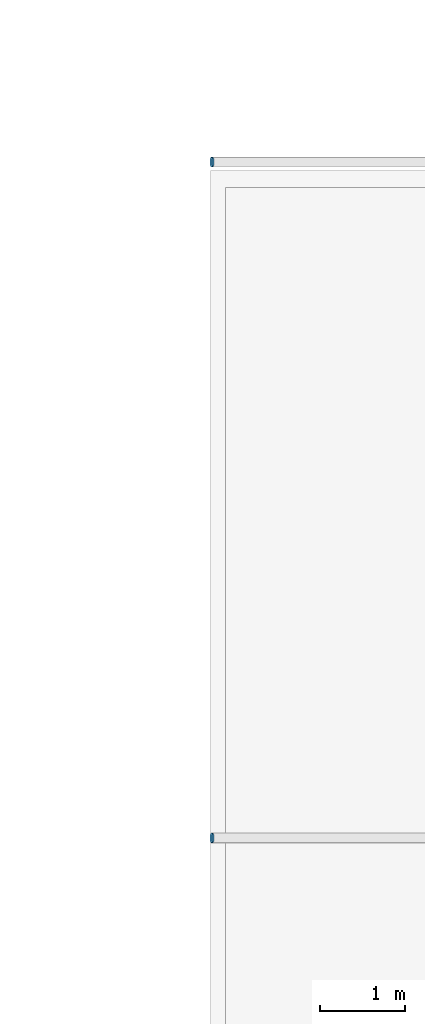
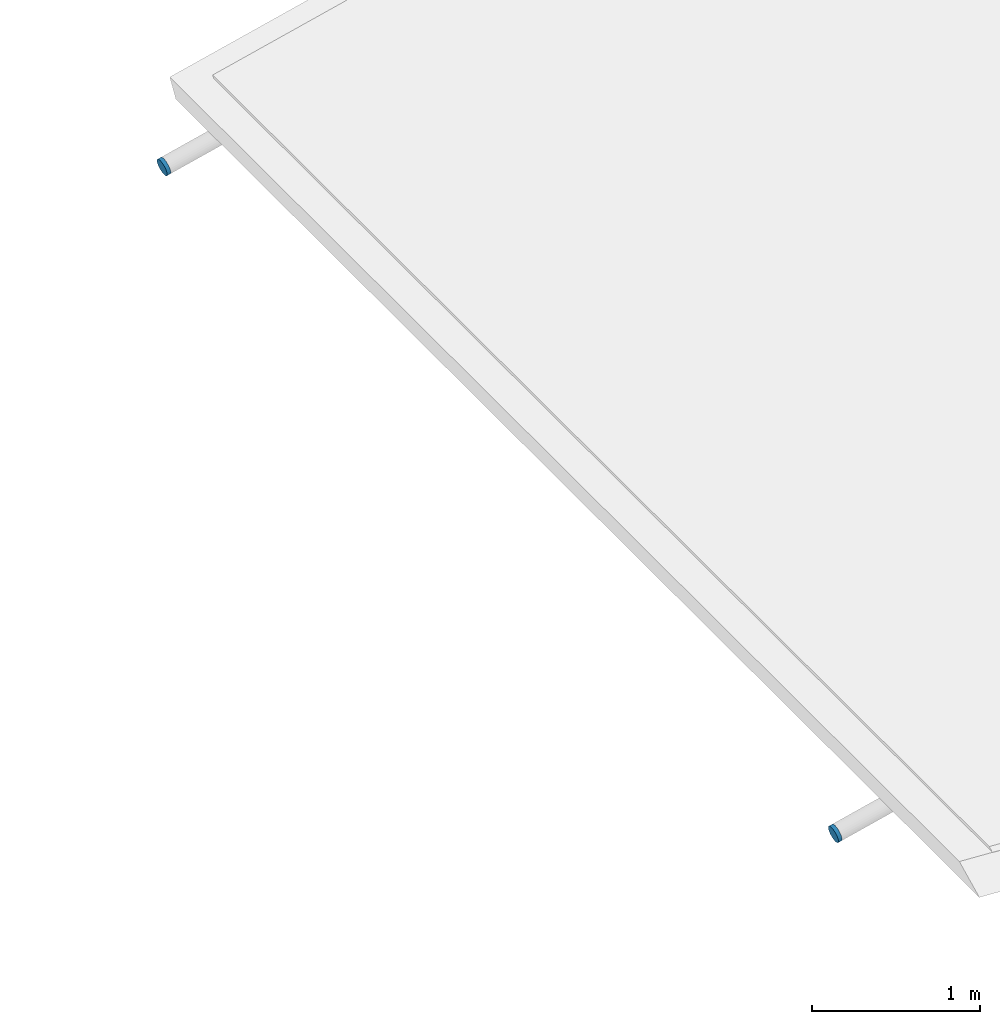
# One storey, part 64 of 71: 2 discrete accessories.
"""IFC4 building model written with IfcOpenShell, lengths in metres."""

from ifc_helpers import new_model, si_unit, derived_unit, direction, frame, origin, origin_2d, place, context, subcontext, project, spatial, circle, extrude, material, type_object, element, save


model = new_model("IFC4")

# Units and contexts
model_context = context("Model", 3, precision=1e-05, world=origin(), true_north=direction((0.0, 1.0)))
body_context = subcontext(model_context, "Body", "Model", "MODEL_VIEW")
ifc_project = project(units=[si_unit("LENGTHUNIT", "METRE"), si_unit("AREAUNIT", "SQUARE_METRE"), si_unit("VOLUMEUNIT", "CUBIC_METRE"), si_unit("PLANEANGLEUNIT", "RADIAN"), si_unit("MASSUNIT", "GRAM", prefix="KILO"), derived_unit("THERMALTRANSMITTANCEUNIT", [(si_unit("MASSUNIT", "GRAM", prefix="KILO"), 1), (si_unit("TIMEUNIT", "SECOND"), -3), (si_unit("THERMODYNAMICTEMPERATUREUNIT", "KELVIN"), -1)])], contexts=[model_context])

# Site, building, storey
site_placement = place(None, origin())
site = spatial("IfcSite", under=ifc_project, at=site_placement, CompositionType="ELEMENT")
building_placement = place(site_placement, origin())
building = spatial("IfcBuilding", under=site, at=building_placement, Name="Zhenchuan Archway Interchange", CompositionType="ELEMENT")
storey_placement = place(building_placement, frame((0.0, 0.0, 18.60009765625)))
storey = spatial("IfcBuildingStorey", under=building, at=storey_placement, Name="L04", CompositionType="ELEMENT", Elevation=18.60009765625)

# Discrete accessories
ifc_material = material(Name="Steel Q390", Category="steel")
discrete_accessory_type = type_object("IfcDiscreteAccessoryType", Name="CAP_MB_CBL_CHS114", PredefinedType="USERDEFINED", material=ifc_material)
for number, where, z_axis, x_axis, name in (
    (1, (27.025634765625, 72.0, -2.656005859375), (0.972387301981, 0.0, 0.233372952475), (0.0, 1.0, 0.0), "End plate at the start of CONCOURSE ROOF CABLE west radial strand 6"),
    (2, (27.025634765625, 80.0, -2.656005859375), (0.972387301981, 0.0, 0.233372952475), (0.0, 1.0, 0.0), "End plate at the start of CONCOURSE ROOF CABLE west radial strand 7"),
):
    element("IfcDiscreteAccessory", number, at=place(storey_placement, frame(where, z_axis=z_axis, x_axis=x_axis)), inside=storey, type_object=discrete_accessory_type, Name=name, ObjectType="END PLATE", PredefinedType="USERDEFINED", context=body_context, shape_type="SweptSolid", body=[
        extrude(circle(Radius=0.056884765625, at=origin_2d()), origin(), (0.0, 0.0, 1.0), 0.025146484375),
    ])

save(model, "model.ifc")
